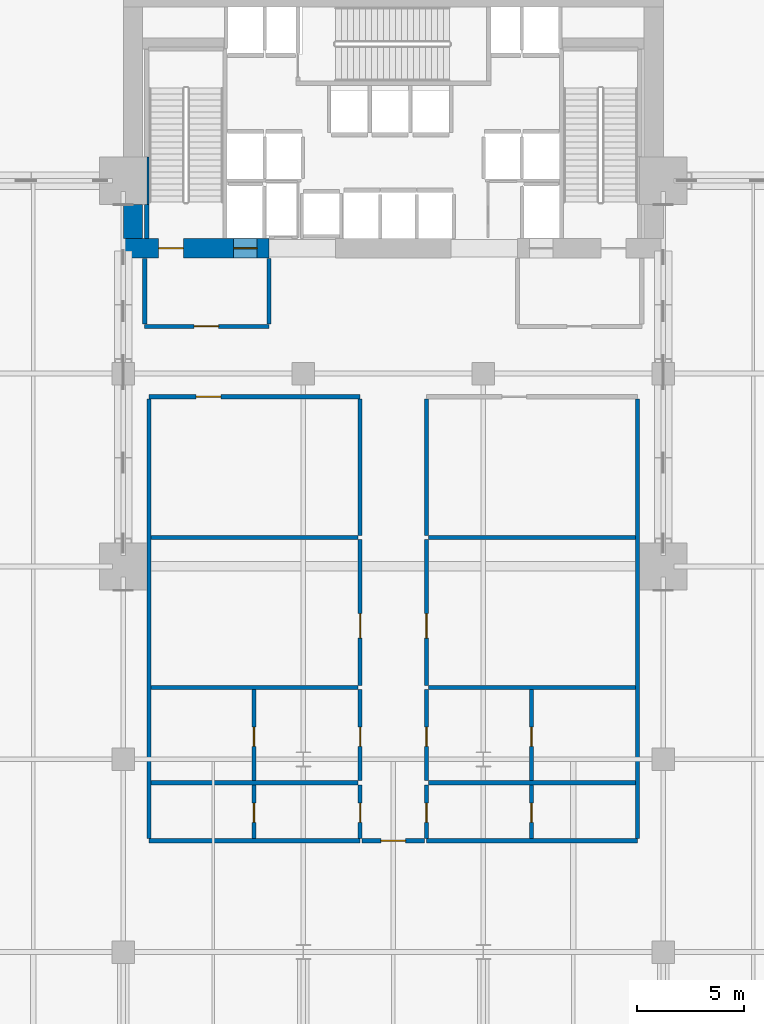
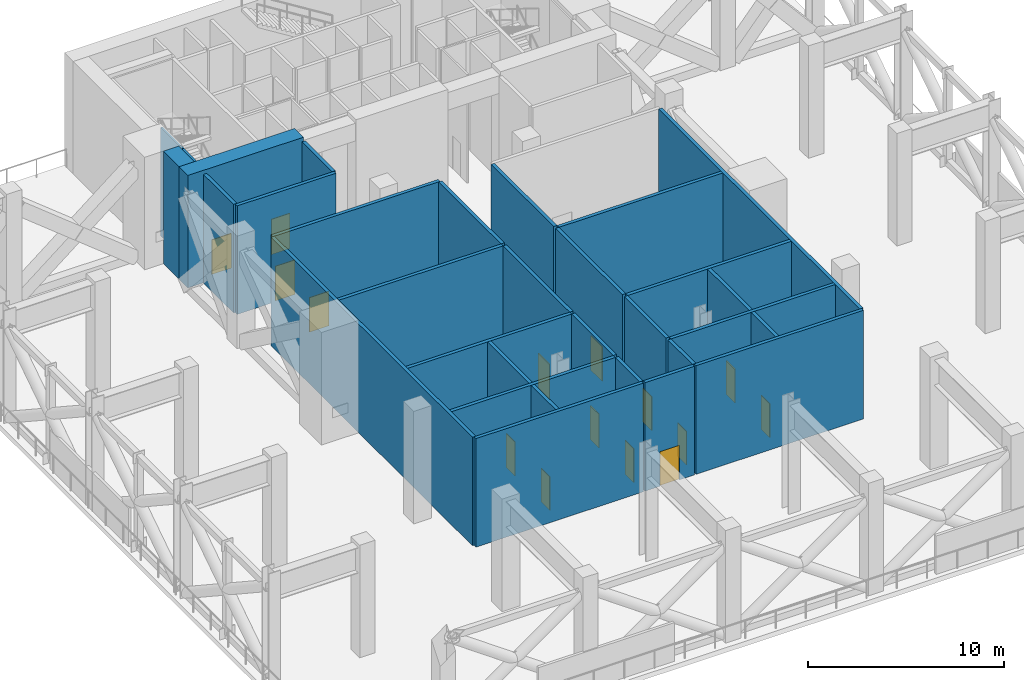
# One storey, part 11 of 16: 31 walls, 15 doors, 15 openings.
"""IFC4 building model written with IfcOpenShell, lengths in metres."""

from ifc_helpers import new_model, si_unit, direction, frame, frame_2d, origin, place, context, subcontext, project, spatial, rectangle, extrude, material, layer, layer_set, type_object, element, fill, save


model = new_model("IFC4")

# Units and contexts
model_context = context("Model", 3, precision=1e-05, world=origin(), true_north=direction((0.0, 1.0)))
body_context = subcontext(model_context, "Body", "Model", "MODEL_VIEW")
ifc_project = project(units=[si_unit("LENGTHUNIT", "METRE"), si_unit("AREAUNIT", "SQUARE_METRE"), si_unit("VOLUMEUNIT", "CUBIC_METRE"), si_unit("PLANEANGLEUNIT", "RADIAN"), si_unit("MASSUNIT", "GRAM", prefix="KILO")], contexts=[model_context])

# Site, building, storey
site_placement = place(None, origin())
site = spatial("IfcSite", under=ifc_project, at=site_placement, CompositionType="ELEMENT")
building_placement = place(site_placement, origin())
building = spatial("IfcBuilding", under=site, at=building_placement, Name="Maruvema Waterfront Hotel and Observation Tower", CompositionType="ELEMENT")
storey_placement = place(building_placement, frame((0.0, 0.0, 115.5)))
storey = spatial("IfcBuildingStorey", under=building, at=storey_placement, Name="L28", CompositionType="ELEMENT", Elevation=115.5)

# Wall
ifc_material_1 = material(Name="Precast concrete C45/55", Category="concrete")
ifc_layer_1 = layer(ifc_material_1, 0.199951171875, Name="Core Shaft and Stairwell Enclosure Wall 200 mm")
ifc_layer_set_1 = layer_set([ifc_layer_1], Name="Precast concrete C45/55")
wall_type_1 = type_object("IfcWallType", Name="Core Shaft and Stairwell Enclosure Wall 200 mm", PredefinedType="SOLIDWALL", material=ifc_layer_set_1)
wall_1_placement = place(storey_placement, frame((26.300048828125, 42.300048828125, 0.0), z_axis=(0.0, 0.0, 1.0), x_axis=(0.0, 1.0, 0.0)))
element("IfcWall", 1, at=wall_1_placement, inside=storey, type_object=wall_type_1, Name="L28 Stairwell ST-01 Shaft Lining Wall", PredefinedType="SOLIDWALL", context=body_context, shape_type="SweptSolid", body=[
    extrude(rectangle(XDim=1.579833984375, YDim=0.199951171875, at=frame_2d((0.7900390625, 0.0))), origin(), (0.0, 0.0, 1.0), 6.760009765625),
])

# Wall, openings, doors
ifc_material_2 = material(Name="Concrete C80/95", Category="concrete")
ifc_layer_2 = layer(ifc_material_2, 0.89990234375, Name="Core Shear Wall 900 mm")
ifc_layer_set_2 = layer_set([ifc_layer_2], Name="Concrete C80/95")
wall_type_2 = type_object("IfcWallType", Name="Core Shear Wall 900 mm", PredefinedType="SHEAR", material=ifc_layer_set_2)
wall_2_placement = place(storey_placement, frame((25.199951171875, 41.85009765625, 0.0), z_axis=(0.0, 0.0, 1.0), x_axis=(1.0, 0.0, 0.0)))
wall_2 = element("IfcWall", 2, at=wall_2_placement, inside=storey, type_object=wall_type_2, Name="L28 South-West Core Shear Wall", PredefinedType="SHEAR", context=body_context, shape_type="SweptSolid", body=[
    extrude(rectangle(XDim=6.800048828125, YDim=0.89990234375, at=frame_2d((3.39990234375, 0.0))), origin(), (0.0, 0.0, 1.0), 7.0),
])
opening_1_placement = place(wall_2_placement, frame((1.64990234375, 0.0, 0.0)))
opening_1 = element("IfcOpeningElement", 3, at=opening_1_placement, cuts=wall_2, Name="Opening SD-01", PredefinedType="OPENING", context=body_context, shape_type="SweptSolid", body=[
    extrude(rectangle(XDim=1.14990234375, YDim=2.14990234375, at=frame_2d((0.574951171875, 1.074951171875))), frame((0.0, 0.4599609375, 0.0), z_axis=(0.0, -1.0, 0.0), x_axis=(1.0, 0.0, 0.0)), (0.0, 0.0, 1.0), 0.919921875),
])
opening_2_placement = place(wall_2_placement, frame((5.14990234375, 0.0, 0.0)))
opening_2 = element("IfcOpeningElement", 4, at=opening_2_placement, cuts=wall_2, Name="Opening LD-03", PredefinedType="OPENING", context=body_context, shape_type="SweptSolid", body=[
    extrude(rectangle(XDim=1.10009765625, YDim=2.199951171875, at=frame_2d((0.550048828125, 1.10009765625))), frame((0.0, 0.4599609375, 0.0), z_axis=(0.0, -1.0, 0.0), x_axis=(1.0, 0.0, 0.0)), (0.0, 0.0, 1.0), 0.919921875),
])
ifc_material_3 = material(Name="Fire-rated galvanised steel leaf", Category="steel")
door_type_1 = type_object("IfcDoorType", Name="Exit Stair Fire Door 1150x2150 mm", OperationType="NOTDEFINED", PredefinedType="DOOR", material=ifc_material_3)
door_1_placement = place(opening_1_placement, origin())
door_1 = element("IfcDoor", 5, at=door_1_placement, inside=storey, type_object=door_type_1, Name="L28 Exit Stair ST-01 Fire Door", OperationType="SINGLE_SWING_LEFT", OverallHeight=2.14990234375, OverallWidth=1.14990234375, PredefinedType="DOOR", context=body_context, shape_type="SweptSolid", body=[
    extrude(rectangle(XDim=1.14990234375, YDim=2.14990234375, at=frame_2d((0.574951171875, 1.074951171875))), frame((0.0, 0.02490234375, 0.0), z_axis=(0.0, -1.0, 0.0), x_axis=(1.0, 0.0, 0.0)), (0.0, 0.0, 1.0), 0.050048828125),
])
fill(opening_1, door_1)
ifc_material_4 = material(Name="Brushed stainless steel Grade 316", Category="steel")
door_type_2 = type_object("IfcDoorType", Name="Firefighting Lift Sliding Landing Door 1100x2200 mm", OperationType="SLIDING_TO_LEFT", PredefinedType="DOOR", material=ifc_material_4)
door_2_placement = place(opening_2_placement, frame((1.10009765625, 0.0, 0.0), z_axis=(0.0, 0.0, 1.0), x_axis=(-1.0, 0.0, 0.0)))
door_2 = element("IfcDoor", 6, at=door_2_placement, inside=storey, type_object=door_type_2, Name="L28 Firefighting Lift FL-01 Landing Door", OperationType="SLIDING_TO_LEFT", OverallHeight=2.199951171875, OverallWidth=1.10009765625, PredefinedType="DOOR", context=body_context, shape_type="SweptSolid", body=[
    extrude(rectangle(XDim=1.10009765625, YDim=2.199951171875, at=frame_2d((0.550048828125, 1.10009765625))), frame((0.0, 0.02490234375, 0.0), z_axis=(0.0, -1.0, 0.0), x_axis=(1.0, 0.0, 0.0)), (0.0, 0.0, 1.0), 0.050048828125),
])
fill(opening_2, door_2)

# Wall
wall_3_placement = place(storey_placement, frame((25.64990234375, 42.300048828125, 0.0), z_axis=(0.0, 0.0, 1.0), x_axis=(0.0, 1.0, 0.0)))
element("IfcWall", 7, at=wall_3_placement, inside=storey, type_object=wall_type_2, Name="L28 West-South Core Shear Wall", PredefinedType="SHEAR", context=body_context, shape_type="SweptSolid", body=[
    extrude(rectangle(XDim=1.599853515625, YDim=0.89990234375, at=frame_2d((0.7998046875, 0.0))), origin(), (0.0, 0.0, 1.0), 7.0),
])

# Wall, opening, door
ifc_material_5 = material(Name="Autoclaved cellular concrete blockwork", Category="masonry")
ifc_layer_3 = layer(ifc_material_5, 0.199951171875, Name="Fire Compartment Masonry Wall 200 mm")
ifc_layer_set_3 = layer_set([ifc_layer_3], Name="Autoclaved cellular concrete blockwork")
wall_type_3 = type_object("IfcWallType", Name="Fire Compartment Masonry Wall 200 mm", PredefinedType="PARTITIONING", material=ifc_layer_set_3)
wall_4_placement = place(storey_placement, frame((26.199951171875, 38.199951171875, 0.0), z_axis=(0.0, 0.0, 1.0), x_axis=(1.0, 0.0, 0.0)))
wall_4 = element("IfcWall", 8, at=wall_4_placement, inside=storey, type_object=wall_type_3, Name="L28 FFL West South Wall 001", PredefinedType="PARTITIONING", context=body_context, shape_type="SweptSolid", body=[
    extrude(rectangle(XDim=5.800048828125, YDim=0.199951171875, at=frame_2d((2.89990234375, 0.0))), origin(), (0.0, 0.0, 1.0), 6.760009765625),
])
opening_3_placement = place(wall_4_placement, frame((2.300048828125, 0.0, 0.0)))
opening_3 = element("IfcOpeningElement", 9, at=opening_3_placement, cuts=wall_4, Name="Opening FD-115", PredefinedType="OPENING", context=body_context, shape_type="SweptSolid", body=[
    extrude(rectangle(XDim=1.14990234375, YDim=2.14990234375, at=frame_2d((0.574951171875, 1.074951171875))), frame((0.0, 0.10986328125, 0.0), z_axis=(0.0, -1.0, 0.0), x_axis=(1.0, 0.0, 0.0)), (0.0, 0.0, 1.0), 0.219970703125),
])
ifc_material_6 = material(Name="Fire-rated galvanised steel and vision glass", Category="steel")
door_type_3 = type_object("IfcDoorType", Name="Firefighting Lobby Fire Door 1150x2150 mm", OperationType="NOTDEFINED", PredefinedType="DOOR", material=ifc_material_6)
door_3_placement = place(opening_3_placement, frame((1.14990234375, 0.0, 0.0), z_axis=(0.0, 0.0, 1.0), x_axis=(-1.0, 0.0, 0.0)))
door_3 = element("IfcDoor", 10, at=door_3_placement, inside=storey, type_object=door_type_3, Name="L28 Firefighting Lobby West Door", OperationType="SINGLE_SWING_RIGHT", OverallHeight=2.14990234375, OverallWidth=1.14990234375, PredefinedType="DOOR", context=body_context, shape_type="SweptSolid", body=[
    extrude(rectangle(XDim=1.14990234375, YDim=2.14990234375, at=frame_2d((0.574951171875, 1.074951171875))), frame((0.0, 0.02490234375, 0.0), z_axis=(0.0, -1.0, 0.0), x_axis=(1.0, 0.0, 0.0)), (0.0, 0.0, 1.0), 0.050048828125),
])
fill(opening_3, door_3)

# Walls
for number, where, z_axis, x_axis, name in (
    (11, (26.199951171875, 38.31005859375, 0.0), (0.0, 0.0, 1.0), (0.0, 1.0, 0.0), "L28 FFL West West Wall 002"),
    (12, (32.0, 38.31005859375, 0.0), (0.0, 0.0, 1.0), (0.0, 1.0, 0.0), "L28 FFL West East Wall 003"),
):
    element("IfcWall", number, at=place(storey_placement, frame(where, z_axis=z_axis, x_axis=x_axis)), inside=storey, type_object=wall_type_3, Name=name, PredefinedType="PARTITIONING", context=body_context, shape_type="SweptSolid", body=[
        extrude(rectangle(XDim=3.06982421875, YDim=0.199951171875, at=frame_2d((1.534912109375, 0.0))), origin(), (0.0, 0.0, 1.0), 6.760009765625),
    ])

# Wall, opening, door
wall_5_placement = place(storey_placement, frame((26.39990234375, 34.919921875, 0.0), z_axis=(0.0, 0.0, 1.0), x_axis=(1.0, 0.0, 0.0)))
wall_5 = element("IfcWall", 13, at=wall_5_placement, inside=storey, type_object=wall_type_3, Name="L28 L28 West N Wall 012", PredefinedType="PARTITIONING", context=body_context, shape_type="SweptSolid", body=[
    extrude(rectangle(XDim=9.85009765625, YDim=0.199951171875, at=frame_2d((4.925048828125, 0.0))), origin(), (0.0, 0.0, 1.0), 6.760009765625),
])
opening_4_placement = place(wall_5_placement, frame((2.199951171875, 0.0, 0.0)))
opening_4 = element("IfcOpeningElement", 14, at=opening_4_placement, cuts=wall_5, Name="Opening FD-115", PredefinedType="OPENING", context=body_context, shape_type="SweptSolid", body=[
    extrude(rectangle(XDim=1.14990234375, YDim=2.14990234375, at=frame_2d((0.574951171875, 1.074951171875))), frame((0.0, 0.10986328125, 0.0), z_axis=(0.0, -1.0, 0.0), x_axis=(1.0, 0.0, 0.0)), (0.0, 0.0, 1.0), 0.219970703125),
])
door_4_placement = place(opening_4_placement, origin())
door_4 = element("IfcDoor", 15, at=door_4_placement, inside=storey, type_object=door_type_3, Name="L28 Refuge Area North-West Door", OperationType="SINGLE_SWING_RIGHT", OverallHeight=2.14990234375, OverallWidth=1.14990234375, PredefinedType="DOOR", context=body_context, shape_type="SweptSolid", body=[
    extrude(rectangle(XDim=1.14990234375, YDim=2.14990234375, at=frame_2d((0.574951171875, 1.074951171875))), frame((0.0, 0.02490234375, 0.0), z_axis=(0.0, -1.0, 0.0), x_axis=(1.0, 0.0, 0.0)), (0.0, 0.0, 1.0), 0.050048828125),
])
fill(opening_4, door_4)

# Walls
for number, where, z_axis, x_axis, name in (
    (16, (26.5, 28.35009765625, 0.0), (0.0, 0.0, 1.0), (1.0, 0.0, 0.0), "L28 L28 West Refuge Mid 013"),
    (17, (26.5, 21.35009765625, 0.0), (0.0, 0.0, 1.0), (1.0, 0.0, 0.0), "L28 L28 West Plant Top 014"),
    (18, (26.5, 16.89990234375, 0.0), (0.0, 0.0, 1.0), (1.0, 0.0, 0.0), "L28 L28 West Plant Mid 015"),
):
    element("IfcWall", number, at=place(storey_placement, frame(where, z_axis=z_axis, x_axis=x_axis)), inside=storey, type_object=wall_type_3, Name=name, PredefinedType="PARTITIONING", context=body_context, shape_type="SweptSolid", body=[
        extrude(rectangle(XDim=9.64990234375, YDim=0.199951171875, at=frame_2d((4.824951171875, 0.0))), origin(), (0.0, 0.0, 1.0), 6.760009765625),
    ])
wall_6_placement = place(storey_placement, frame((26.39990234375, 14.199951171875, 0.0), z_axis=(0.0, 0.0, 1.0), x_axis=(1.0, 0.0, 0.0)))
element("IfcWall", 19, at=wall_6_placement, inside=storey, type_object=wall_type_3, Name="L28 L28 West S Wall 016", PredefinedType="PARTITIONING", context=body_context, shape_type="SweptSolid", body=[
    extrude(rectangle(XDim=9.85009765625, YDim=0.199951171875, at=frame_2d((4.925048828125, 0.0))), origin(), (0.0, 0.0, 1.0), 6.760009765625),
])
wall_7_placement = place(storey_placement, frame((26.39990234375, 14.300048828125, 0.0), z_axis=(0.0, 0.0, 1.0), x_axis=(0.0, 1.0, 0.0)))
element("IfcWall", 20, at=wall_7_placement, inside=storey, type_object=wall_type_3, Name="L28 L28 West Outer Wall 017", PredefinedType="PARTITIONING", context=body_context, shape_type="SweptSolid", body=[
    extrude(rectangle(XDim=20.52001953125, YDim=0.199951171875, at=frame_2d((10.260009765625, 0.0))), origin(), (0.0, 0.0, 1.0), 6.760009765625),
])
wall_8_placement = place(storey_placement, frame((36.25, 28.449951171875, 0.0), z_axis=(0.0, 0.0, 1.0), x_axis=(0.0, 1.0, 0.0)))
element("IfcWall", 21, at=wall_8_placement, inside=storey, type_object=wall_type_3, Name="L28 L28 West Spine Upper 018", PredefinedType="PARTITIONING", context=body_context, shape_type="SweptSolid", body=[
    extrude(rectangle(XDim=6.3701171875, YDim=0.199951171875, at=frame_2d((3.18505859375, 0.0))), origin(), (0.0, 0.0, 1.0), 6.760009765625),
])

# Wall, opening, door
wall_9_placement = place(storey_placement, frame((36.25, 21.449951171875, 0.0), z_axis=(0.0, 0.0, 1.0), x_axis=(0.0, 1.0, 0.0)))
wall_9 = element("IfcWall", 22, at=wall_9_placement, inside=storey, type_object=wall_type_3, Name="L28 L28 West Spine Refuge 019", PredefinedType="PARTITIONING", context=body_context, shape_type="SweptSolid", body=[
    extrude(rectangle(XDim=6.800048828125, YDim=0.199951171875, at=frame_2d((3.39990234375, 0.0))), origin(), (0.0, 0.0, 1.0), 6.760009765625),
])
opening_5_placement = place(wall_9_placement, frame((2.199951171875, 0.0, 0.0)))
opening_5 = element("IfcOpeningElement", 23, at=opening_5_placement, cuts=wall_9, Name="Opening FD-115", PredefinedType="OPENING", context=body_context, shape_type="SweptSolid", body=[
    extrude(rectangle(XDim=1.14990234375, YDim=2.14990234375, at=frame_2d((0.574951171875, 1.074951171875))), frame((0.0, 0.10986328125, 0.0), z_axis=(0.0, -1.0, 0.0), x_axis=(1.0, 0.0, 0.0)), (0.0, 0.0, 1.0), 0.219970703125),
])
door_5_placement = place(opening_5_placement, origin())
door_5 = element("IfcDoor", 24, at=door_5_placement, inside=storey, type_object=door_type_3, Name="L28 Refuge Area South-West Door", OperationType="SINGLE_SWING_LEFT", OverallHeight=2.14990234375, OverallWidth=1.14990234375, PredefinedType="DOOR", context=body_context, shape_type="SweptSolid", body=[
    extrude(rectangle(XDim=1.14990234375, YDim=2.14990234375, at=frame_2d((0.574951171875, 1.074951171875))), frame((0.0, 0.02490234375, 0.0), z_axis=(0.0, -1.0, 0.0), x_axis=(1.0, 0.0, 0.0)), (0.0, 0.0, 1.0), 0.050048828125),
])
fill(opening_5, door_5)

wall_10_placement = place(storey_placement, frame((36.25, 17.0, 0.0), z_axis=(0.0, 0.0, 1.0), x_axis=(0.0, 1.0, 0.0)))
wall_10 = element("IfcWall", 25, at=wall_10_placement, inside=storey, type_object=wall_type_3, Name="L28 L28 West Spine Plant N 020", PredefinedType="PARTITIONING", context=body_context, shape_type="SweptSolid", body=[
    extrude(rectangle(XDim=4.25, YDim=0.199951171875, at=frame_2d((2.125, 0.0))), origin(), (0.0, 0.0, 1.0), 6.760009765625),
])
opening_6_placement = place(wall_10_placement, frame((1.60009765625, 0.0, 0.0)))
opening_6 = element("IfcOpeningElement", 26, at=opening_6_placement, cuts=wall_10, Name="Opening DR-090", PredefinedType="OPENING", context=body_context, shape_type="SweptSolid", body=[
    extrude(rectangle(XDim=0.89990234375, YDim=2.10009765625, at=frame_2d((0.449951171875, 1.050048828125))), frame((0.0, 0.10986328125, 0.0), z_axis=(0.0, -1.0, 0.0), x_axis=(1.0, 0.0, 0.0)), (0.0, 0.0, 1.0), 0.219970703125),
])
ifc_material_7 = material(Name="Solid-core lacquered timber leaf", Category="wood")
door_type_4 = type_object("IfcDoorType", Name="Accessible Toilet and Room Door 900x2100 mm", OperationType="NOTDEFINED", PredefinedType="DOOR", material=ifc_material_7)
door_6_placement = place(opening_6_placement, origin())
door_6 = element("IfcDoor", 27, at=door_6_placement, inside=storey, type_object=door_type_4, Name="L28 West Plant N Spine Door", OperationType="SINGLE_SWING_LEFT", OverallHeight=2.10009765625, OverallWidth=0.89990234375, PredefinedType="DOOR", context=body_context, shape_type="SweptSolid", body=[
    extrude(rectangle(XDim=0.89990234375, YDim=2.10009765625, at=frame_2d((0.449951171875, 1.050048828125))), frame((0.0, 0.02490234375, 0.0), z_axis=(0.0, -1.0, 0.0), x_axis=(1.0, 0.0, 0.0)), (0.0, 0.0, 1.0), 0.050048828125),
])
fill(opening_6, door_6)

wall_11_placement = place(storey_placement, frame((36.25, 14.300048828125, 0.0), z_axis=(0.0, 0.0, 1.0), x_axis=(0.0, 1.0, 0.0)))
wall_11 = element("IfcWall", 28, at=wall_11_placement, inside=storey, type_object=wall_type_3, Name="L28 L28 West Spine Plant S 021", PredefinedType="PARTITIONING", context=body_context, shape_type="SweptSolid", body=[
    extrude(rectangle(XDim=2.5, YDim=0.199951171875, at=frame_2d((1.25, 0.0))), origin(), (0.0, 0.0, 1.0), 6.760009765625),
])
opening_7_placement = place(wall_11_placement, frame((0.75, 0.0, 0.0)))
opening_7 = element("IfcOpeningElement", 29, at=opening_7_placement, cuts=wall_11, Name="Opening DR-090", PredefinedType="OPENING", context=body_context, shape_type="SweptSolid", body=[
    extrude(rectangle(XDim=0.89990234375, YDim=2.10009765625, at=frame_2d((0.449951171875, 1.050048828125))), frame((0.0, 0.10986328125, 0.0), z_axis=(0.0, -1.0, 0.0), x_axis=(1.0, 0.0, 0.0)), (0.0, 0.0, 1.0), 0.219970703125),
])
door_7_placement = place(opening_7_placement, origin())
door_7 = element("IfcDoor", 30, at=door_7_placement, inside=storey, type_object=door_type_4, Name="L28 West Plant S Spine Door", OperationType="SINGLE_SWING_RIGHT", OverallHeight=2.10009765625, OverallWidth=0.89990234375, PredefinedType="DOOR", context=body_context, shape_type="SweptSolid", body=[
    extrude(rectangle(XDim=0.89990234375, YDim=2.10009765625, at=frame_2d((0.449951171875, 1.050048828125))), frame((0.0, 0.02490234375, 0.0), z_axis=(0.0, -1.0, 0.0), x_axis=(1.0, 0.0, 0.0)), (0.0, 0.0, 1.0), 0.050048828125),
])
fill(opening_7, door_7)

wall_12_placement = place(storey_placement, frame((31.300048828125, 14.300048828125, 0.0), z_axis=(0.0, 0.0, 1.0), x_axis=(0.0, 1.0, 0.0)))
wall_12 = element("IfcWall", 31, at=wall_12_placement, inside=storey, type_object=wall_type_3, Name="L28 L28 West Mid S 022", PredefinedType="PARTITIONING", context=body_context, shape_type="SweptSolid", body=[
    extrude(rectangle(XDim=2.5, YDim=0.199951171875, at=frame_2d((1.25, 0.0))), origin(), (0.0, 0.0, 1.0), 6.760009765625),
])
opening_8_placement = place(wall_12_placement, frame((0.75, 0.0, 0.0)))
opening_8 = element("IfcOpeningElement", 32, at=opening_8_placement, cuts=wall_12, Name="Opening DR-090", PredefinedType="OPENING", context=body_context, shape_type="SweptSolid", body=[
    extrude(rectangle(XDim=0.89990234375, YDim=2.10009765625, at=frame_2d((0.449951171875, 1.050048828125))), frame((0.0, 0.10986328125, 0.0), z_axis=(0.0, -1.0, 0.0), x_axis=(1.0, 0.0, 0.0)), (0.0, 0.0, 1.0), 0.219970703125),
])
door_8_placement = place(opening_8_placement, origin())
door_8 = element("IfcDoor", 33, at=door_8_placement, inside=storey, type_object=door_type_4, Name="L28 West Outer Plant S Door", OperationType="SINGLE_SWING_RIGHT", OverallHeight=2.10009765625, OverallWidth=0.89990234375, PredefinedType="DOOR", context=body_context, shape_type="SweptSolid", body=[
    extrude(rectangle(XDim=0.89990234375, YDim=2.10009765625, at=frame_2d((0.449951171875, 1.050048828125))), frame((0.0, 0.02490234375, 0.0), z_axis=(0.0, -1.0, 0.0), x_axis=(1.0, 0.0, 0.0)), (0.0, 0.0, 1.0), 0.050048828125),
])
fill(opening_8, door_8)

wall_13_placement = place(storey_placement, frame((31.300048828125, 17.0, 0.0), z_axis=(0.0, 0.0, 1.0), x_axis=(0.0, 1.0, 0.0)))
wall_13 = element("IfcWall", 34, at=wall_13_placement, inside=storey, type_object=wall_type_3, Name="L28 L28 West Mid N 023", PredefinedType="PARTITIONING", context=body_context, shape_type="SweptSolid", body=[
    extrude(rectangle(XDim=4.25, YDim=0.199951171875, at=frame_2d((2.125, 0.0))), origin(), (0.0, 0.0, 1.0), 6.760009765625),
])
opening_9_placement = place(wall_13_placement, frame((1.60009765625, 0.0, 0.0)))
opening_9 = element("IfcOpeningElement", 35, at=opening_9_placement, cuts=wall_13, Name="Opening DR-090", PredefinedType="OPENING", context=body_context, shape_type="SweptSolid", body=[
    extrude(rectangle(XDim=0.89990234375, YDim=2.10009765625, at=frame_2d((0.449951171875, 1.050048828125))), frame((0.0, 0.10986328125, 0.0), z_axis=(0.0, -1.0, 0.0), x_axis=(1.0, 0.0, 0.0)), (0.0, 0.0, 1.0), 0.219970703125),
])
door_9_placement = place(opening_9_placement, origin())
door_9 = element("IfcDoor", 36, at=door_9_placement, inside=storey, type_object=door_type_4, Name="L28 West Outer Plant N Door", OperationType="SINGLE_SWING_LEFT", OverallHeight=2.10009765625, OverallWidth=0.89990234375, PredefinedType="DOOR", context=body_context, shape_type="SweptSolid", body=[
    extrude(rectangle(XDim=0.89990234375, YDim=2.10009765625, at=frame_2d((0.449951171875, 1.050048828125))), frame((0.0, 0.02490234375, 0.0), z_axis=(0.0, -1.0, 0.0), x_axis=(1.0, 0.0, 0.0)), (0.0, 0.0, 1.0), 0.050048828125),
])
fill(opening_9, door_9)

# Walls
for number, where, z_axis, x_axis, name in (
    (37, (39.449951171875, 28.35009765625, 0.0), (0.0, 0.0, 1.0), (1.0, 0.0, 0.0), "L28 L28 East Refuge Mid 025"),
    (38, (39.449951171875, 21.35009765625, 0.0), (0.0, 0.0, 1.0), (1.0, 0.0, 0.0), "L28 L28 East Plant Top 026"),
    (39, (39.449951171875, 16.89990234375, 0.0), (0.0, 0.0, 1.0), (1.0, 0.0, 0.0), "L28 L28 East Plant Mid 027"),
):
    element("IfcWall", number, at=place(storey_placement, frame(where, z_axis=z_axis, x_axis=x_axis)), inside=storey, type_object=wall_type_3, Name=name, PredefinedType="PARTITIONING", context=body_context, shape_type="SweptSolid", body=[
        extrude(rectangle(XDim=9.650146484375, YDim=0.199951171875, at=frame_2d((4.8251953125, 0.0))), origin(), (0.0, 0.0, 1.0), 6.760009765625),
    ])
wall_14_placement = place(storey_placement, frame((39.35009765625, 14.199951171875, 0.0), z_axis=(0.0, 0.0, 1.0), x_axis=(1.0, 0.0, 0.0)))
element("IfcWall", 40, at=wall_14_placement, inside=storey, type_object=wall_type_3, Name="L28 L28 East S Wall 028", PredefinedType="PARTITIONING", context=body_context, shape_type="SweptSolid", body=[
    extrude(rectangle(XDim=9.849853515625, YDim=0.199951171875, at=frame_2d((4.9248046875, 0.0))), origin(), (0.0, 0.0, 1.0), 6.760009765625),
])
wall_15_placement = place(storey_placement, frame((49.199951171875, 14.300048828125, 0.0), z_axis=(0.0, 0.0, 1.0), x_axis=(0.0, 1.0, 0.0)))
element("IfcWall", 41, at=wall_15_placement, inside=storey, type_object=wall_type_3, Name="L28 L28 East Outer Wall 029", PredefinedType="PARTITIONING", context=body_context, shape_type="SweptSolid", body=[
    extrude(rectangle(XDim=20.52001953125, YDim=0.199951171875, at=frame_2d((10.260009765625, 0.0))), origin(), (0.0, 0.0, 1.0), 6.760009765625),
])
wall_16_placement = place(storey_placement, frame((39.35009765625, 28.449951171875, 0.0), z_axis=(0.0, 0.0, 1.0), x_axis=(0.0, 1.0, 0.0)))
element("IfcWall", 42, at=wall_16_placement, inside=storey, type_object=wall_type_3, Name="L28 L28 East Spine Upper 030", PredefinedType="PARTITIONING", context=body_context, shape_type="SweptSolid", body=[
    extrude(rectangle(XDim=6.3701171875, YDim=0.199951171875, at=frame_2d((3.18505859375, 0.0))), origin(), (0.0, 0.0, 1.0), 6.760009765625),
])

# Wall, opening, door
wall_17_placement = place(storey_placement, frame((39.35009765625, 21.449951171875, 0.0), z_axis=(0.0, 0.0, 1.0), x_axis=(0.0, 1.0, 0.0)))
wall_17 = element("IfcWall", 43, at=wall_17_placement, inside=storey, type_object=wall_type_3, Name="L28 L28 East Spine Refuge 031", PredefinedType="PARTITIONING", context=body_context, shape_type="SweptSolid", body=[
    extrude(rectangle(XDim=6.800048828125, YDim=0.199951171875, at=frame_2d((3.39990234375, 0.0))), origin(), (0.0, 0.0, 1.0), 6.760009765625),
])
opening_10_placement = place(wall_17_placement, frame((2.199951171875, 0.0, 0.0)))
opening_10 = element("IfcOpeningElement", 44, at=opening_10_placement, cuts=wall_17, Name="Opening FD-115", PredefinedType="OPENING", context=body_context, shape_type="SweptSolid", body=[
    extrude(rectangle(XDim=1.14990234375, YDim=2.14990234375, at=frame_2d((0.574951171875, 1.074951171875))), frame((0.0, 0.10986328125, 0.0), z_axis=(0.0, -1.0, 0.0), x_axis=(1.0, 0.0, 0.0)), (0.0, 0.0, 1.0), 0.219970703125),
])
door_10_placement = place(opening_10_placement, frame((1.14990234375, 0.0, 0.0), z_axis=(0.0, 0.0, 1.0), x_axis=(-1.0, 0.0, 0.0)))
door_10 = element("IfcDoor", 45, at=door_10_placement, inside=storey, type_object=door_type_3, Name="L28 Refuge Area South-East Door", OperationType="SINGLE_SWING_LEFT", OverallHeight=2.14990234375, OverallWidth=1.14990234375, PredefinedType="DOOR", context=body_context, shape_type="SweptSolid", body=[
    extrude(rectangle(XDim=1.14990234375, YDim=2.14990234375, at=frame_2d((0.574951171875, 1.074951171875))), frame((0.0, 0.02490234375, 0.0), z_axis=(0.0, -1.0, 0.0), x_axis=(1.0, 0.0, 0.0)), (0.0, 0.0, 1.0), 0.050048828125),
])
fill(opening_10, door_10)

wall_18_placement = place(storey_placement, frame((39.35009765625, 17.0, 0.0), z_axis=(0.0, 0.0, 1.0), x_axis=(0.0, 1.0, 0.0)))
wall_18 = element("IfcWall", 46, at=wall_18_placement, inside=storey, type_object=wall_type_3, Name="L28 L28 East Spine Plant N 032", PredefinedType="PARTITIONING", context=body_context, shape_type="SweptSolid", body=[
    extrude(rectangle(XDim=4.25, YDim=0.199951171875, at=frame_2d((2.125, 0.0))), origin(), (0.0, 0.0, 1.0), 6.760009765625),
])
opening_11_placement = place(wall_18_placement, frame((1.60009765625, 0.0, 0.0)))
opening_11 = element("IfcOpeningElement", 47, at=opening_11_placement, cuts=wall_18, Name="Opening DR-090", PredefinedType="OPENING", context=body_context, shape_type="SweptSolid", body=[
    extrude(rectangle(XDim=0.89990234375, YDim=2.10009765625, at=frame_2d((0.449951171875, 1.050048828125))), frame((0.0, 0.10986328125, 0.0), z_axis=(0.0, -1.0, 0.0), x_axis=(1.0, 0.0, 0.0)), (0.0, 0.0, 1.0), 0.219970703125),
])
door_11_placement = place(opening_11_placement, frame((0.89990234375, 0.0, 0.0), z_axis=(0.0, 0.0, 1.0), x_axis=(-1.0, 0.0, 0.0)))
door_11 = element("IfcDoor", 48, at=door_11_placement, inside=storey, type_object=door_type_4, Name="L28 East Plant N Spine Door", OperationType="SINGLE_SWING_LEFT", OverallHeight=2.10009765625, OverallWidth=0.89990234375, PredefinedType="DOOR", context=body_context, shape_type="SweptSolid", body=[
    extrude(rectangle(XDim=0.89990234375, YDim=2.10009765625, at=frame_2d((0.449951171875, 1.050048828125))), frame((0.0, 0.02490234375, 0.0), z_axis=(0.0, -1.0, 0.0), x_axis=(1.0, 0.0, 0.0)), (0.0, 0.0, 1.0), 0.050048828125),
])
fill(opening_11, door_11)

wall_19_placement = place(storey_placement, frame((39.35009765625, 14.300048828125, 0.0), z_axis=(0.0, 0.0, 1.0), x_axis=(0.0, 1.0, 0.0)))
wall_19 = element("IfcWall", 49, at=wall_19_placement, inside=storey, type_object=wall_type_3, Name="L28 L28 East Spine Plant S 033", PredefinedType="PARTITIONING", context=body_context, shape_type="SweptSolid", body=[
    extrude(rectangle(XDim=2.5, YDim=0.199951171875, at=frame_2d((1.25, 0.0))), origin(), (0.0, 0.0, 1.0), 6.760009765625),
])
opening_12_placement = place(wall_19_placement, frame((0.75, 0.0, 0.0)))
opening_12 = element("IfcOpeningElement", 50, at=opening_12_placement, cuts=wall_19, Name="Opening DR-090", PredefinedType="OPENING", context=body_context, shape_type="SweptSolid", body=[
    extrude(rectangle(XDim=0.89990234375, YDim=2.10009765625, at=frame_2d((0.449951171875, 1.050048828125))), frame((0.0, 0.10986328125, 0.0), z_axis=(0.0, -1.0, 0.0), x_axis=(1.0, 0.0, 0.0)), (0.0, 0.0, 1.0), 0.219970703125),
])
door_12_placement = place(opening_12_placement, frame((0.89990234375, 0.0, 0.0), z_axis=(0.0, 0.0, 1.0), x_axis=(-1.0, 0.0, 0.0)))
door_12 = element("IfcDoor", 51, at=door_12_placement, inside=storey, type_object=door_type_4, Name="L28 East Plant S Spine Door", OperationType="SINGLE_SWING_RIGHT", OverallHeight=2.10009765625, OverallWidth=0.89990234375, PredefinedType="DOOR", context=body_context, shape_type="SweptSolid", body=[
    extrude(rectangle(XDim=0.89990234375, YDim=2.10009765625, at=frame_2d((0.449951171875, 1.050048828125))), frame((0.0, 0.02490234375, 0.0), z_axis=(0.0, -1.0, 0.0), x_axis=(1.0, 0.0, 0.0)), (0.0, 0.0, 1.0), 0.050048828125),
])
fill(opening_12, door_12)

wall_20_placement = place(storey_placement, frame((44.25, 14.300048828125, 0.0), z_axis=(0.0, 0.0, 1.0), x_axis=(0.0, 1.0, 0.0)))
wall_20 = element("IfcWall", 52, at=wall_20_placement, inside=storey, type_object=wall_type_3, Name="L28 L28 East Mid S 034", PredefinedType="PARTITIONING", context=body_context, shape_type="SweptSolid", body=[
    extrude(rectangle(XDim=2.5, YDim=0.199951171875, at=frame_2d((1.25, 0.0))), origin(), (0.0, 0.0, 1.0), 6.760009765625),
])
opening_13_placement = place(wall_20_placement, frame((0.75, 0.0, 0.0)))
opening_13 = element("IfcOpeningElement", 53, at=opening_13_placement, cuts=wall_20, Name="Opening DR-090", PredefinedType="OPENING", context=body_context, shape_type="SweptSolid", body=[
    extrude(rectangle(XDim=0.89990234375, YDim=2.10009765625, at=frame_2d((0.449951171875, 1.050048828125))), frame((0.0, 0.10986328125, 0.0), z_axis=(0.0, -1.0, 0.0), x_axis=(1.0, 0.0, 0.0)), (0.0, 0.0, 1.0), 0.219970703125),
])
door_13_placement = place(opening_13_placement, frame((0.89990234375, 0.0, 0.0), z_axis=(0.0, 0.0, 1.0), x_axis=(-1.0, 0.0, 0.0)))
door_13 = element("IfcDoor", 54, at=door_13_placement, inside=storey, type_object=door_type_4, Name="L28 East Outer Plant S Door", OperationType="SINGLE_SWING_RIGHT", OverallHeight=2.10009765625, OverallWidth=0.89990234375, PredefinedType="DOOR", context=body_context, shape_type="SweptSolid", body=[
    extrude(rectangle(XDim=0.89990234375, YDim=2.10009765625, at=frame_2d((0.449951171875, 1.050048828125))), frame((0.0, 0.02490234375, 0.0), z_axis=(0.0, -1.0, 0.0), x_axis=(1.0, 0.0, 0.0)), (0.0, 0.0, 1.0), 0.050048828125),
])
fill(opening_13, door_13)

wall_21_placement = place(storey_placement, frame((44.25, 17.0, 0.0), z_axis=(0.0, 0.0, 1.0), x_axis=(0.0, 1.0, 0.0)))
wall_21 = element("IfcWall", 55, at=wall_21_placement, inside=storey, type_object=wall_type_3, Name="L28 L28 East Mid N 035", PredefinedType="PARTITIONING", context=body_context, shape_type="SweptSolid", body=[
    extrude(rectangle(XDim=4.25, YDim=0.199951171875, at=frame_2d((2.125, 0.0))), origin(), (0.0, 0.0, 1.0), 6.760009765625),
])
opening_14_placement = place(wall_21_placement, frame((1.60009765625, 0.0, 0.0)))
opening_14 = element("IfcOpeningElement", 56, at=opening_14_placement, cuts=wall_21, Name="Opening DR-090", PredefinedType="OPENING", context=body_context, shape_type="SweptSolid", body=[
    extrude(rectangle(XDim=0.89990234375, YDim=2.10009765625, at=frame_2d((0.449951171875, 1.050048828125))), frame((0.0, 0.10986328125, 0.0), z_axis=(0.0, -1.0, 0.0), x_axis=(1.0, 0.0, 0.0)), (0.0, 0.0, 1.0), 0.219970703125),
])
door_14_placement = place(opening_14_placement, frame((0.89990234375, 0.0, 0.0), z_axis=(0.0, 0.0, 1.0), x_axis=(-1.0, 0.0, 0.0)))
door_14 = element("IfcDoor", 57, at=door_14_placement, inside=storey, type_object=door_type_4, Name="L28 East Outer Plant N Door", OperationType="SINGLE_SWING_LEFT", OverallHeight=2.10009765625, OverallWidth=0.89990234375, PredefinedType="DOOR", context=body_context, shape_type="SweptSolid", body=[
    extrude(rectangle(XDim=0.89990234375, YDim=2.10009765625, at=frame_2d((0.449951171875, 1.050048828125))), frame((0.0, 0.02490234375, 0.0), z_axis=(0.0, -1.0, 0.0), x_axis=(1.0, 0.0, 0.0)), (0.0, 0.0, 1.0), 0.050048828125),
])
fill(opening_14, door_14)

wall_22_placement = place(storey_placement, frame((36.35009765625, 14.199951171875, 0.0), z_axis=(0.0, 0.0, 1.0), x_axis=(1.0, 0.0, 0.0)))
wall_22 = element("IfcWall", 58, at=wall_22_placement, inside=storey, type_object=wall_type_3, Name="L28 L28 Spine South Wall 036", PredefinedType="PARTITIONING", context=body_context, shape_type="SweptSolid", body=[
    extrude(rectangle(XDim=2.89990234375, YDim=0.199951171875, at=frame_2d((1.449951171875, 0.0))), origin(), (0.0, 0.0, 1.0), 6.760009765625),
])
opening_15_placement = place(wall_22_placement, frame((0.875, 0.0, 0.0)))
opening_15 = element("IfcOpeningElement", 59, at=opening_15_placement, cuts=wall_22, Name="Opening FD-115", PredefinedType="OPENING", context=body_context, shape_type="SweptSolid", body=[
    extrude(rectangle(XDim=1.14990234375, YDim=2.14990234375, at=frame_2d((0.574951171875, 1.074951171875))), frame((0.0, 0.10986328125, 0.0), z_axis=(0.0, -1.0, 0.0), x_axis=(1.0, 0.0, 0.0)), (0.0, 0.0, 1.0), 0.219970703125),
])
door_15_placement = place(opening_15_placement, origin())
door_15 = element("IfcDoor", 60, at=door_15_placement, inside=storey, type_object=door_type_3, Name="L28 L28 Wind Deck Access Door", OperationType="SINGLE_SWING_RIGHT", OverallHeight=2.14990234375, OverallWidth=1.14990234375, PredefinedType="DOOR", context=body_context, shape_type="SweptSolid", body=[
    extrude(rectangle(XDim=1.14990234375, YDim=2.14990234375, at=frame_2d((0.574951171875, 1.074951171875))), frame((0.0, 0.02490234375, 0.0), z_axis=(0.0, -1.0, 0.0), x_axis=(1.0, 0.0, 0.0)), (0.0, 0.0, 1.0), 0.050048828125),
])
fill(opening_15, door_15)

# Wall
ifc_material_8 = material(Name="Precast concrete C45/55", Category="concrete")
ifc_layer_4 = layer(ifc_material_8, 0.10009765625, Name="Stairwell Stringer Cheek Wall 100 mm")
ifc_layer_set_4 = layer_set([ifc_layer_4], Name="Precast concrete C45/55")
wall_type_4 = type_object("IfcWallType", Name="Stairwell Stringer Cheek Wall 100 mm", PredefinedType="SOLIDWALL", material=ifc_layer_set_4)
wall_23_placement = place(storey_placement, frame((26.35205078125, 43.89990234375, 0.0), z_axis=(0.0, 0.0, 1.0), x_axis=(0.0, 1.0, 0.0)))
element("IfcWall", 61, at=wall_23_placement, inside=storey, type_object=wall_type_4, Name="L28 Stairwell ST-01 Mega-Column Cheek Wall", PredefinedType="SOLIDWALL", context=body_context, shape_type="SweptSolid", body=[
    extrude(rectangle(XDim=2.2001953125, YDim=0.10009765625, at=frame_2d((1.10009765625, 0.0))), origin(), (0.0, 0.0, 1.0), 6.760009765625),
])

save(model, "model.ifc")
